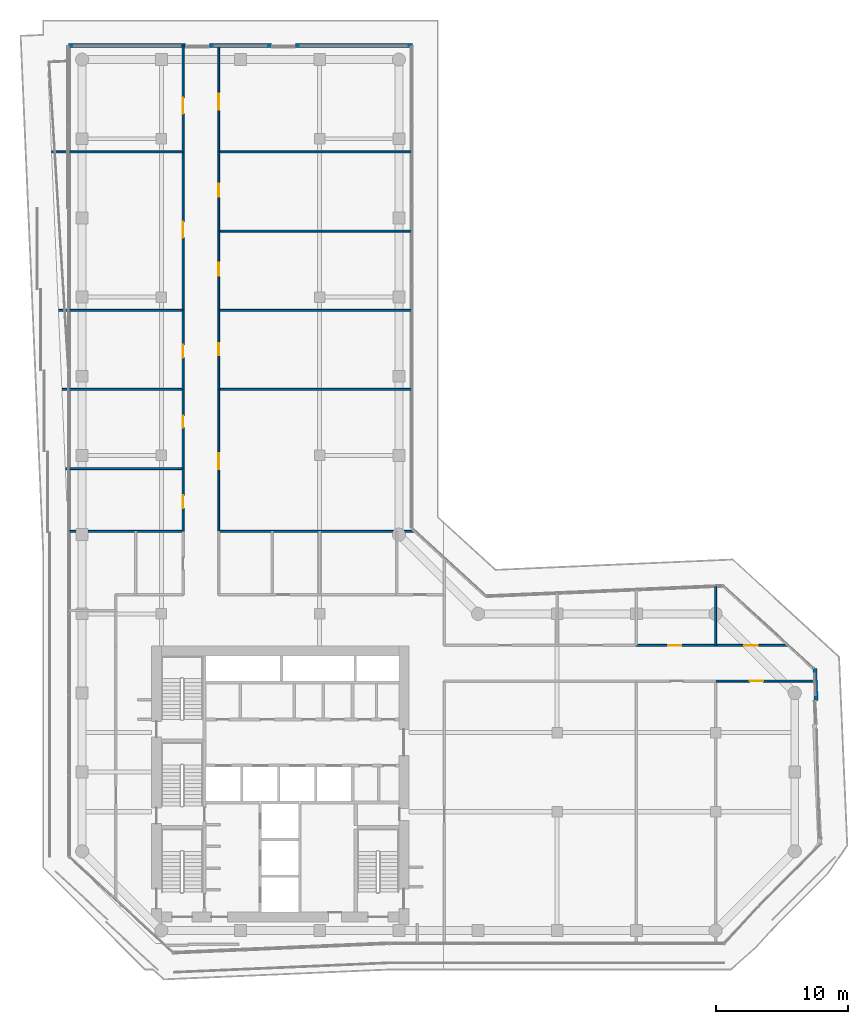
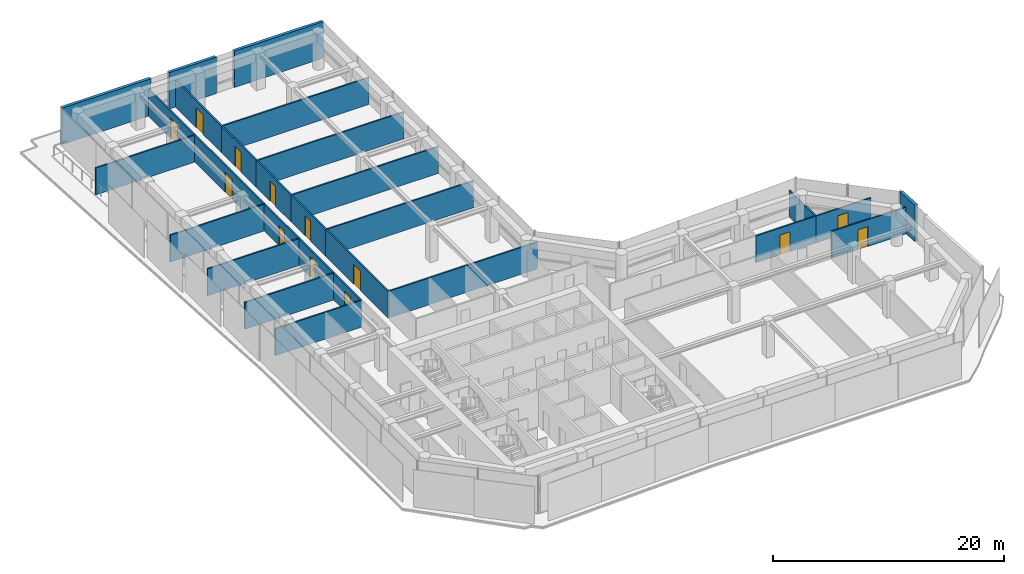
# One storey, part 21 of 24: 28 walls, 13 doors, 13 openings.
"""IFC4 building model written with IfcOpenShell, lengths in metres."""

from ifc_helpers import new_model, si_unit, direction, frame, frame_2d, origin, place, context, subcontext, project, spatial, rectangle, extrude, material, layer, layer_set, type_object, element, fill, save


model = new_model("IFC4")

# Units and contexts
model_context = context("Model", 3, precision=1e-05, world=origin(), true_north=direction((0.0, 1.0)))
body_context = subcontext(model_context, "Body", "Model", "MODEL_VIEW")
ifc_project = project(units=[si_unit("LENGTHUNIT", "METRE"), si_unit("AREAUNIT", "SQUARE_METRE"), si_unit("VOLUMEUNIT", "CUBIC_METRE"), si_unit("PLANEANGLEUNIT", "RADIAN"), si_unit("MASSUNIT", "GRAM", prefix="KILO")], contexts=[model_context])

# Site, building, storey
site_placement = place(None, origin())
site = spatial("IfcSite", under=ifc_project, at=site_placement, CompositionType="ELEMENT")
building_placement = place(site_placement, origin())
building = spatial("IfcBuilding", under=site, at=building_placement, Name="Welwitschia Terrace Campus", CompositionType="ELEMENT")
storey_placement = place(building_placement, frame((0.0, 0.0, 100.39990234375)))
storey = spatial("IfcBuildingStorey", under=building, at=storey_placement, Name="L22", CompositionType="ELEMENT", Elevation=100.39990234375)

# Walls
ifc_material_1 = material(Name="Gypsum board on steel studs", Category="steel")
ifc_layer_1 = layer(ifc_material_1, 0.14990234375)
ifc_layer_set_1 = layer_set([ifc_layer_1], Name="Gypsum board on steel studs")
wall_type_1 = type_object("IfcWallType", Name="Corridor partition 150 EI 30", PredefinedType="PARTITIONING", material=ifc_layer_set_1)
wall_1_placement = place(storey_placement, frame((-2.300048828125, 63.0, 0.0), z_axis=(0.0, 0.0, 1.0), x_axis=(1.0, 0.0, 0.0)))
element("IfcWall", 1, at=wall_1_placement, inside=storey, type_object=wall_type_1, Name="Partition", PredefinedType="PARTITIONING", context=body_context, shape_type="SweptSolid", body=[
    extrude(rectangle(XDim=9.949951171875, YDim=0.14990234375, at=frame_2d((4.97509765625, 0.0))), origin(), (0.0, 0.0, 1.0), 2.830078125),
])
wall_2_placement = place(storey_placement, frame((-1.780029296875, 51.0, 0.0), z_axis=(0.0, 0.0, 1.0), x_axis=(1.0, 0.0, 0.0)))
element("IfcWall", 2, at=wall_2_placement, inside=storey, type_object=wall_type_1, Name="Partition", PredefinedType="PARTITIONING", context=body_context, shape_type="SweptSolid", body=[
    extrude(rectangle(XDim=9.429931640625, YDim=0.14990234375, at=frame_2d((4.71484375, 0.0))), origin(), (0.0, 0.0, 1.0), 2.830078125),
])
wall_3_placement = place(storey_placement, frame((-1.52001953125, 45.0, 0.0), z_axis=(0.0, 0.0, 1.0), x_axis=(1.0, 0.0, 0.0)))
element("IfcWall", 3, at=wall_3_placement, inside=storey, type_object=wall_type_1, Name="Partition", PredefinedType="PARTITIONING", context=body_context, shape_type="SweptSolid", body=[
    extrude(rectangle(XDim=9.169921875, YDim=0.14990234375, at=frame_2d((4.5849609375, 0.0))), origin(), (0.0, 0.0, 1.0), 2.830078125),
])
wall_4_placement = place(storey_placement, frame((-1.260009765625, 39.0, 0.0), z_axis=(0.0, 0.0, 1.0), x_axis=(1.0, 0.0, 0.0)))
element("IfcWall", 4, at=wall_4_placement, inside=storey, type_object=wall_type_1, Name="Partition", PredefinedType="PARTITIONING", context=body_context, shape_type="SweptSolid", body=[
    extrude(rectangle(XDim=8.909912109375, YDim=0.14990234375, at=frame_2d((4.455078125, 0.0))), origin(), (0.0, 0.0, 1.0), 2.830078125),
])
wall_5_placement = place(storey_placement, frame((-0.965087890625, 34.25, 0.0), z_axis=(0.0, 0.0, 1.0), x_axis=(1.0, 0.0, 0.0)))
element("IfcWall", 5, at=wall_5_placement, inside=storey, type_object=wall_type_1, Name="Partition", PredefinedType="PARTITIONING", context=body_context, shape_type="SweptSolid", body=[
    extrude(rectangle(XDim=8.614990234375, YDim=0.14990234375, at=frame_2d((4.3076171875, 0.0))), origin(), (0.0, 0.0, 1.0), 2.830078125),
])

# Wall, opening, door
wall_6_placement = place(storey_placement, frame((7.64990234375, 34.25, 0.0), z_axis=(0.0, 0.0, 1.0), x_axis=(0.0, 1.0, 0.0)))
wall_6 = element("IfcWall", 6, at=wall_6_placement, inside=storey, type_object=wall_type_1, Name="Partition", PredefinedType="PARTITIONING", context=body_context, shape_type="SweptSolid", body=[
    extrude(rectangle(XDim=4.75, YDim=0.14990234375, at=frame_2d((2.375, 0.0))), origin(), (0.0, 0.0, 1.0), 2.830078125),
])
opening_1_placement = place(wall_6_placement, frame((1.75, 0.0, 0.0)))
opening_1 = element("IfcOpeningElement", 7, at=opening_1_placement, cuts=wall_6, Name="Opening DI10", PredefinedType="OPENING", context=body_context, shape_type="SweptSolid", body=[
    extrude(rectangle(XDim=1.0, YDim=2.10009765625, at=frame_2d((0.5, 1.050048828125))), frame((0.0, 0.0849609375, 0.0), z_axis=(0.0, -1.0, 0.0), x_axis=(1.0, 0.0, 0.0)), (0.0, 0.0, 1.0), 0.169921875),
])
ifc_material_2 = material(Name="Timber veneered door", Category="wood")
door_type_1 = type_object("IfcDoorType", Name="Interior door DI10", OperationType="NOTDEFINED", PredefinedType="DOOR", material=ifc_material_2)
door_1_placement = place(opening_1_placement, origin())
door_1 = element("IfcDoor", 8, at=door_1_placement, inside=storey, type_object=door_type_1, Name="Door L22 481", OperationType="SINGLE_SWING_RIGHT", OverallHeight=2.10009765625, OverallWidth=1.0, PredefinedType="DOOR", context=body_context, shape_type="SweptSolid", body=[
    extrude(rectangle(XDim=1.0, YDim=2.10009765625, at=frame_2d((0.5, 1.050048828125))), frame((0.0, 0.02490234375, 0.0), z_axis=(0.0, -1.0, 0.0), x_axis=(1.0, 0.0, 0.0)), (0.0, 0.0, 1.0), 0.050048828125),
])
fill(opening_1, door_1)

wall_7_placement = place(storey_placement, frame((7.64990234375, 39.0, 0.0), z_axis=(0.0, 0.0, 1.0), x_axis=(0.0, 1.0, 0.0)))
wall_7 = element("IfcWall", 9, at=wall_7_placement, inside=storey, type_object=wall_type_1, Name="Partition", PredefinedType="PARTITIONING", context=body_context, shape_type="SweptSolid", body=[
    extrude(rectangle(XDim=6.0, YDim=0.14990234375, at=frame_2d((3.0, 0.0))), origin(), (0.0, 0.0, 1.0), 2.830078125),
])
opening_2_placement = place(wall_7_placement, frame((3.10009765625, 0.0, 0.0)))
opening_2 = element("IfcOpeningElement", 10, at=opening_2_placement, cuts=wall_7, Name="Opening DI09", PredefinedType="OPENING", context=body_context, shape_type="SweptSolid", body=[
    extrude(rectangle(XDim=0.89990234375, YDim=2.10009765625, at=frame_2d((0.449951171875, 1.050048828125))), frame((0.0, 0.0849609375, 0.0), z_axis=(0.0, -1.0, 0.0), x_axis=(1.0, 0.0, 0.0)), (0.0, 0.0, 1.0), 0.169921875),
])
ifc_material_3 = material(Name="Timber veneered door", Category="wood")
door_type_2 = type_object("IfcDoorType", Name="Interior door DI09", OperationType="NOTDEFINED", PredefinedType="DOOR", material=ifc_material_3)
door_2_placement = place(opening_2_placement, origin())
door_2 = element("IfcDoor", 11, at=door_2_placement, inside=storey, type_object=door_type_2, Name="Door L22 482", OperationType="SINGLE_SWING_LEFT", OverallHeight=2.10009765625, OverallWidth=0.89990234375, PredefinedType="DOOR", context=body_context, shape_type="SweptSolid", body=[
    extrude(rectangle(XDim=0.89990234375, YDim=2.10009765625, at=frame_2d((0.449951171875, 1.050048828125))), frame((0.0, 0.02490234375, 0.0), z_axis=(0.0, -1.0, 0.0), x_axis=(1.0, 0.0, 0.0)), (0.0, 0.0, 1.0), 0.050048828125),
])
fill(opening_2, door_2)

wall_8_placement = place(storey_placement, frame((7.64990234375, 45.0, 0.0), z_axis=(0.0, 0.0, 1.0), x_axis=(0.0, 1.0, 0.0)))
wall_8 = element("IfcWall", 12, at=wall_8_placement, inside=storey, type_object=wall_type_1, Name="Partition", PredefinedType="PARTITIONING", context=body_context, shape_type="SweptSolid", body=[
    extrude(rectangle(XDim=6.0, YDim=0.14990234375, at=frame_2d((3.0, 0.0))), origin(), (0.0, 0.0, 1.0), 2.830078125),
])
opening_3_placement = place(wall_8_placement, frame((2.39990234375, 0.0, 0.0)))
opening_3 = element("IfcOpeningElement", 13, at=opening_3_placement, cuts=wall_8, Name="Opening DI10", PredefinedType="OPENING", context=body_context, shape_type="SweptSolid", body=[
    extrude(rectangle(XDim=1.0, YDim=2.10009765625, at=frame_2d((0.5, 1.050048828125))), frame((0.0, 0.0849609375, 0.0), z_axis=(0.0, -1.0, 0.0), x_axis=(1.0, 0.0, 0.0)), (0.0, 0.0, 1.0), 0.169921875),
])
door_3_placement = place(opening_3_placement, origin())
door_3 = element("IfcDoor", 14, at=door_3_placement, inside=storey, type_object=door_type_1, Name="Door L22 483", OperationType="SINGLE_SWING_RIGHT", OverallHeight=2.10009765625, OverallWidth=1.0, PredefinedType="DOOR", context=body_context, shape_type="SweptSolid", body=[
    extrude(rectangle(XDim=1.0, YDim=2.10009765625, at=frame_2d((0.5, 1.050048828125))), frame((0.0, 0.02490234375, 0.0), z_axis=(0.0, -1.0, 0.0), x_axis=(1.0, 0.0, 0.0)), (0.0, 0.0, 1.0), 0.050048828125),
])
fill(opening_3, door_3)

wall_9_placement = place(storey_placement, frame((7.64990234375, 51.0, 0.0), z_axis=(0.0, 0.0, 1.0), x_axis=(0.0, 1.0, 0.0)))
wall_9 = element("IfcWall", 15, at=wall_9_placement, inside=storey, type_object=wall_type_1, Name="Partition", PredefinedType="PARTITIONING", context=body_context, shape_type="SweptSolid", body=[
    extrude(rectangle(XDim=12.0, YDim=0.14990234375, at=frame_2d((6.0, 0.0))), origin(), (0.0, 0.0, 1.0), 2.830078125),
])
opening_4_placement = place(wall_9_placement, frame((5.5, 0.0, 0.0)))
opening_4 = element("IfcOpeningElement", 16, at=opening_4_placement, cuts=wall_9, Name="Opening DI12", PredefinedType="OPENING", context=body_context, shape_type="SweptSolid", body=[
    extrude(rectangle(XDim=1.199951171875, YDim=2.10009765625, at=frame_2d((0.60009765625, 1.050048828125))), frame((0.0, 0.0849609375, 0.0), z_axis=(0.0, -1.0, 0.0), x_axis=(1.0, 0.0, 0.0)), (0.0, 0.0, 1.0), 0.169921875),
])
ifc_material_4 = material(Name="Timber veneered door", Category="wood")
door_type_3 = type_object("IfcDoorType", Name="Interior door DI12", OperationType="NOTDEFINED", PredefinedType="DOOR", material=ifc_material_4)
door_4_placement = place(opening_4_placement, origin())
door_4 = element("IfcDoor", 17, at=door_4_placement, inside=storey, type_object=door_type_3, Name="Door L22 484", OperationType="SINGLE_SWING_LEFT", OverallHeight=2.10009765625, OverallWidth=1.199951171875, PredefinedType="DOOR", context=body_context, shape_type="SweptSolid", body=[
    extrude(rectangle(XDim=1.199951171875, YDim=2.10009765625, at=frame_2d((0.60009765625, 1.050048828125))), frame((0.0, 0.02490234375, 0.0), z_axis=(0.0, -1.0, 0.0), x_axis=(1.0, 0.0, 0.0)), (0.0, 0.0, 1.0), 0.050048828125),
])
fill(opening_4, door_4)

wall_10_placement = place(storey_placement, frame((7.64990234375, 63.0, 0.0), z_axis=(0.0, 0.0, 1.0), x_axis=(0.0, 1.0, 0.0)))
wall_10 = element("IfcWall", 18, at=wall_10_placement, inside=storey, type_object=wall_type_1, Name="Partition", PredefinedType="PARTITIONING", context=body_context, shape_type="SweptSolid", body=[
    extrude(rectangle(XDim=8.090087890625, YDim=0.14990234375, at=frame_2d((4.044921875, 0.0))), origin(), (0.0, 0.0, 1.0), 2.830078125),
])
opening_5_placement = place(wall_10_placement, frame((2.909912109375, 0.0, 0.0)))
opening_5 = element("IfcOpeningElement", 19, at=opening_5_placement, cuts=wall_10, Name="Opening DI12", PredefinedType="OPENING", context=body_context, shape_type="SweptSolid", body=[
    extrude(rectangle(XDim=1.199951171875, YDim=2.10009765625, at=frame_2d((0.60009765625, 1.050048828125))), frame((0.0, 0.0849609375, 0.0), z_axis=(0.0, -1.0, 0.0), x_axis=(1.0, 0.0, 0.0)), (0.0, 0.0, 1.0), 0.169921875),
])
door_5_placement = place(opening_5_placement, origin())
door_5 = element("IfcDoor", 20, at=door_5_placement, inside=storey, type_object=door_type_3, Name="Door L22 485", OperationType="SINGLE_SWING_RIGHT", OverallHeight=2.10009765625, OverallWidth=1.199951171875, PredefinedType="DOOR", context=body_context, shape_type="SweptSolid", body=[
    extrude(rectangle(XDim=1.199951171875, YDim=2.10009765625, at=frame_2d((0.60009765625, 1.050048828125))), frame((0.0, 0.02490234375, 0.0), z_axis=(0.0, -1.0, 0.0), x_axis=(1.0, 0.0, 0.0)), (0.0, 0.0, 1.0), 0.050048828125),
])
fill(opening_5, door_5)

# Wall
wall_11_placement = place(storey_placement, frame((10.35009765625, 34.25, 0.0), z_axis=(0.0, 0.0, 1.0), x_axis=(1.0, 0.0, 0.0)))
element("IfcWall", 21, at=wall_11_placement, inside=storey, type_object=wall_type_1, Name="Partition", PredefinedType="PARTITIONING", context=body_context, shape_type="SweptSolid", body=[
    extrude(rectangle(XDim=14.849853515625, YDim=0.14990234375, at=frame_2d((7.4248046875, 0.0))), origin(), (0.0, 0.0, 1.0), 2.830078125),
])

# Wall, opening, door
wall_12_placement = place(storey_placement, frame((10.35009765625, 45.0, 0.0), z_axis=(0.0, 0.0, 1.0), x_axis=(0.0, -1.0, 0.0)))
wall_12 = element("IfcWall", 22, at=wall_12_placement, inside=storey, type_object=wall_type_1, Name="Partition", PredefinedType="PARTITIONING", context=body_context, shape_type="SweptSolid", body=[
    extrude(rectangle(XDim=10.75, YDim=0.14990234375, at=frame_2d((5.375, 0.0))), origin(), (0.0, 0.0, 1.0), 2.830078125),
])
opening_6_placement = place(wall_12_placement, frame((4.85009765625, 0.0, 0.0)))
opening_6 = element("IfcOpeningElement", 23, at=opening_6_placement, cuts=wall_12, Name="Opening DI12", PredefinedType="OPENING", context=body_context, shape_type="SweptSolid", body=[
    extrude(rectangle(XDim=1.199951171875, YDim=2.10009765625, at=frame_2d((0.60009765625, 1.050048828125))), frame((0.0, 0.0849609375, 0.0), z_axis=(0.0, -1.0, 0.0), x_axis=(1.0, 0.0, 0.0)), (0.0, 0.0, 1.0), 0.169921875),
])
door_6_placement = place(opening_6_placement, origin())
door_6 = element("IfcDoor", 24, at=door_6_placement, inside=storey, type_object=door_type_3, Name="Door L22 486", OperationType="SINGLE_SWING_LEFT", OverallHeight=2.10009765625, OverallWidth=1.199951171875, PredefinedType="DOOR", context=body_context, shape_type="SweptSolid", body=[
    extrude(rectangle(XDim=1.199951171875, YDim=2.10009765625, at=frame_2d((0.60009765625, 1.050048828125))), frame((0.0, 0.02490234375, 0.0), z_axis=(0.0, -1.0, 0.0), x_axis=(1.0, 0.0, 0.0)), (0.0, 0.0, 1.0), 0.050048828125),
])
fill(opening_6, door_6)

# Wall
wall_13_placement = place(storey_placement, frame((10.35009765625, 45.0, 0.0), z_axis=(0.0, 0.0, 1.0), x_axis=(1.0, 0.0, 0.0)))
element("IfcWall", 25, at=wall_13_placement, inside=storey, type_object=wall_type_1, Name="Partition", PredefinedType="PARTITIONING", context=body_context, shape_type="SweptSolid", body=[
    extrude(rectangle(XDim=14.6298828125, YDim=0.14990234375, at=frame_2d((7.31494140625, 0.0))), origin(), (0.0, 0.0, 1.0), 2.830078125),
])

# Wall, opening, door
wall_14_placement = place(storey_placement, frame((10.35009765625, 51.0, 0.0), z_axis=(0.0, 0.0, 1.0), x_axis=(0.0, -1.0, 0.0)))
wall_14 = element("IfcWall", 26, at=wall_14_placement, inside=storey, type_object=wall_type_1, Name="Partition", PredefinedType="PARTITIONING", context=body_context, shape_type="SweptSolid", body=[
    extrude(rectangle(XDim=6.0, YDim=0.14990234375, at=frame_2d((3.0, 0.0))), origin(), (0.0, 0.0, 1.0), 2.830078125),
])
opening_7_placement = place(wall_14_placement, frame((2.5, 0.0, 0.0)))
opening_7 = element("IfcOpeningElement", 27, at=opening_7_placement, cuts=wall_14, Name="Opening DI09", PredefinedType="OPENING", context=body_context, shape_type="SweptSolid", body=[
    extrude(rectangle(XDim=0.89990234375, YDim=2.10009765625, at=frame_2d((0.449951171875, 1.050048828125))), frame((0.0, 0.0849609375, 0.0), z_axis=(0.0, -1.0, 0.0), x_axis=(1.0, 0.0, 0.0)), (0.0, 0.0, 1.0), 0.169921875),
])
door_7_placement = place(opening_7_placement, origin())
door_7 = element("IfcDoor", 28, at=door_7_placement, inside=storey, type_object=door_type_2, Name="Door L22 487", OperationType="SINGLE_SWING_RIGHT", OverallHeight=2.10009765625, OverallWidth=0.89990234375, PredefinedType="DOOR", context=body_context, shape_type="SweptSolid", body=[
    extrude(rectangle(XDim=0.89990234375, YDim=2.10009765625, at=frame_2d((0.449951171875, 1.050048828125))), frame((0.0, 0.02490234375, 0.0), z_axis=(0.0, -1.0, 0.0), x_axis=(1.0, 0.0, 0.0)), (0.0, 0.0, 1.0), 0.050048828125),
])
fill(opening_7, door_7)

# Wall
wall_15_placement = place(storey_placement, frame((10.35009765625, 51.0, 0.0), z_axis=(0.0, 0.0, 1.0), x_axis=(1.0, 0.0, 0.0)))
element("IfcWall", 29, at=wall_15_placement, inside=storey, type_object=wall_type_1, Name="Partition", PredefinedType="PARTITIONING", context=body_context, shape_type="SweptSolid", body=[
    extrude(rectangle(XDim=14.6298828125, YDim=0.14990234375, at=frame_2d((7.31494140625, 0.0))), origin(), (0.0, 0.0, 1.0), 2.830078125),
])

# Wall, opening, door
wall_16_placement = place(storey_placement, frame((10.35009765625, 57.0, 0.0), z_axis=(0.0, 0.0, 1.0), x_axis=(0.0, -1.0, 0.0)))
wall_16 = element("IfcWall", 30, at=wall_16_placement, inside=storey, type_object=wall_type_1, Name="Partition", PredefinedType="PARTITIONING", context=body_context, shape_type="SweptSolid", body=[
    extrude(rectangle(XDim=6.0, YDim=0.14990234375, at=frame_2d((3.0, 0.0))), origin(), (0.0, 0.0, 1.0), 2.830078125),
])
opening_8_placement = place(wall_16_placement, frame((2.39990234375, 0.0, 0.0)))
opening_8 = element("IfcOpeningElement", 31, at=opening_8_placement, cuts=wall_16, Name="Opening DI10", PredefinedType="OPENING", context=body_context, shape_type="SweptSolid", body=[
    extrude(rectangle(XDim=1.0, YDim=2.10009765625, at=frame_2d((0.5, 1.050048828125))), frame((0.0, 0.0849609375, 0.0), z_axis=(0.0, -1.0, 0.0), x_axis=(1.0, 0.0, 0.0)), (0.0, 0.0, 1.0), 0.169921875),
])
door_8_placement = place(opening_8_placement, origin())
door_8 = element("IfcDoor", 32, at=door_8_placement, inside=storey, type_object=door_type_1, Name="Door L22 488", OperationType="SINGLE_SWING_LEFT", OverallHeight=2.10009765625, OverallWidth=1.0, PredefinedType="DOOR", context=body_context, shape_type="SweptSolid", body=[
    extrude(rectangle(XDim=1.0, YDim=2.10009765625, at=frame_2d((0.5, 1.050048828125))), frame((0.0, 0.02490234375, 0.0), z_axis=(0.0, -1.0, 0.0), x_axis=(1.0, 0.0, 0.0)), (0.0, 0.0, 1.0), 0.050048828125),
])
fill(opening_8, door_8)

# Wall
wall_17_placement = place(storey_placement, frame((10.35009765625, 57.0, 0.0), z_axis=(0.0, 0.0, 1.0), x_axis=(1.0, 0.0, 0.0)))
element("IfcWall", 33, at=wall_17_placement, inside=storey, type_object=wall_type_1, Name="Partition", PredefinedType="PARTITIONING", context=body_context, shape_type="SweptSolid", body=[
    extrude(rectangle(XDim=14.6298828125, YDim=0.14990234375, at=frame_2d((7.31494140625, 0.0))), origin(), (0.0, 0.0, 1.0), 2.830078125),
])

# Wall, opening, door
wall_18_placement = place(storey_placement, frame((10.35009765625, 63.0, 0.0), z_axis=(0.0, 0.0, 1.0), x_axis=(0.0, -1.0, 0.0)))
wall_18 = element("IfcWall", 34, at=wall_18_placement, inside=storey, type_object=wall_type_1, Name="Partition", PredefinedType="PARTITIONING", context=body_context, shape_type="SweptSolid", body=[
    extrude(rectangle(XDim=6.0, YDim=0.14990234375, at=frame_2d((3.0, 0.0))), origin(), (0.0, 0.0, 1.0), 2.830078125),
])
opening_9_placement = place(wall_18_placement, frame((2.39990234375, 0.0, 0.0)))
opening_9 = element("IfcOpeningElement", 35, at=opening_9_placement, cuts=wall_18, Name="Opening DI10", PredefinedType="OPENING", context=body_context, shape_type="SweptSolid", body=[
    extrude(rectangle(XDim=1.0, YDim=2.10009765625, at=frame_2d((0.5, 1.050048828125))), frame((0.0, 0.0849609375, 0.0), z_axis=(0.0, -1.0, 0.0), x_axis=(1.0, 0.0, 0.0)), (0.0, 0.0, 1.0), 0.169921875),
])
door_9_placement = place(opening_9_placement, origin())
door_9 = element("IfcDoor", 36, at=door_9_placement, inside=storey, type_object=door_type_1, Name="Door L22 489", OperationType="SINGLE_SWING_RIGHT", OverallHeight=2.10009765625, OverallWidth=1.0, PredefinedType="DOOR", context=body_context, shape_type="SweptSolid", body=[
    extrude(rectangle(XDim=1.0, YDim=2.10009765625, at=frame_2d((0.5, 1.050048828125))), frame((0.0, 0.02490234375, 0.0), z_axis=(0.0, -1.0, 0.0), x_axis=(1.0, 0.0, 0.0)), (0.0, 0.0, 1.0), 0.050048828125),
])
fill(opening_9, door_9)

# Wall
wall_19_placement = place(storey_placement, frame((10.35009765625, 63.0, 0.0), z_axis=(0.0, 0.0, 1.0), x_axis=(1.0, 0.0, 0.0)))
element("IfcWall", 37, at=wall_19_placement, inside=storey, type_object=wall_type_1, Name="Partition", PredefinedType="PARTITIONING", context=body_context, shape_type="SweptSolid", body=[
    extrude(rectangle(XDim=14.6298828125, YDim=0.14990234375, at=frame_2d((7.31494140625, 0.0))), origin(), (0.0, 0.0, 1.0), 2.830078125),
])

# Wall, opening, door
wall_20_placement = place(storey_placement, frame((10.35009765625, 71.090087890625, 0.0), z_axis=(0.0, 0.0, 1.0), x_axis=(0.0, -1.0, 0.0)))
wall_20 = element("IfcWall", 38, at=wall_20_placement, inside=storey, type_object=wall_type_1, Name="Partition", PredefinedType="PARTITIONING", context=body_context, shape_type="SweptSolid", body=[
    extrude(rectangle(XDim=8.090087890625, YDim=0.14990234375, at=frame_2d((4.044921875, 0.0))), origin(), (0.0, 0.0, 1.0), 2.830078125),
])
opening_10_placement = place(wall_20_placement, frame((3.68994140625, 0.0, 0.0)))
opening_10 = element("IfcOpeningElement", 39, at=opening_10_placement, cuts=wall_20, Name="Opening DI12", PredefinedType="OPENING", context=body_context, shape_type="SweptSolid", body=[
    extrude(rectangle(XDim=1.199951171875, YDim=2.10009765625, at=frame_2d((0.60009765625, 1.050048828125))), frame((0.0, 0.0849609375, 0.0), z_axis=(0.0, -1.0, 0.0), x_axis=(1.0, 0.0, 0.0)), (0.0, 0.0, 1.0), 0.169921875),
])
door_10_placement = place(opening_10_placement, origin())
door_10 = element("IfcDoor", 40, at=door_10_placement, inside=storey, type_object=door_type_3, Name="Door L22 490", OperationType="SINGLE_SWING_LEFT", OverallHeight=2.10009765625, OverallWidth=1.199951171875, PredefinedType="DOOR", context=body_context, shape_type="SweptSolid", body=[
    extrude(rectangle(XDim=1.199951171875, YDim=2.10009765625, at=frame_2d((0.60009765625, 1.050048828125))), frame((0.0, 0.02490234375, 0.0), z_axis=(0.0, -1.0, 0.0), x_axis=(1.0, 0.0, 0.0)), (0.0, 0.0, 1.0), 0.050048828125),
])
fill(opening_10, door_10)

wall_21_placement = place(storey_placement, frame((42.0, 25.60009765625, 0.0), z_axis=(0.0, 0.0, 1.0), x_axis=(1.0, 0.0, 0.0)))
wall_21 = element("IfcWall", 41, at=wall_21_placement, inside=storey, type_object=wall_type_1, Name="Partition", PredefinedType="PARTITIONING", context=body_context, shape_type="SweptSolid", body=[
    extrude(rectangle(XDim=6.0, YDim=0.14990234375, at=frame_2d((3.0, 0.0))), origin(), (0.0, 0.0, 1.0), 2.830078125),
])
opening_11_placement = place(wall_21_placement, frame((2.39990234375, 0.0, 0.0)))
opening_11 = element("IfcOpeningElement", 42, at=opening_11_placement, cuts=wall_21, Name="Opening DI10", PredefinedType="OPENING", context=body_context, shape_type="SweptSolid", body=[
    extrude(rectangle(XDim=1.0, YDim=2.10009765625, at=frame_2d((0.5, 1.050048828125))), frame((0.0, 0.0849609375, 0.0), z_axis=(0.0, -1.0, 0.0), x_axis=(1.0, 0.0, 0.0)), (0.0, 0.0, 1.0), 0.169921875),
])
door_11_placement = place(opening_11_placement, origin())
door_11 = element("IfcDoor", 43, at=door_11_placement, inside=storey, type_object=door_type_1, Name="Door L22 496", OperationType="SINGLE_SWING_LEFT", OverallHeight=2.10009765625, OverallWidth=1.0, PredefinedType="DOOR", context=body_context, shape_type="SweptSolid", body=[
    extrude(rectangle(XDim=1.0, YDim=2.10009765625, at=frame_2d((0.5, 1.050048828125))), frame((0.0, 0.02490234375, 0.0), z_axis=(0.0, -1.0, 0.0), x_axis=(1.0, 0.0, 0.0)), (0.0, 0.0, 1.0), 0.050048828125),
])
fill(opening_11, door_11)

# Wall
wall_22_placement = place(storey_placement, frame((48.0, 25.60009765625, 0.0), z_axis=(0.0, 0.0, 1.0), x_axis=(0.0, 1.0, 0.0)))
element("IfcWall", 44, at=wall_22_placement, inside=storey, type_object=wall_type_1, Name="Partition", PredefinedType="PARTITIONING", context=body_context, shape_type="SweptSolid", body=[
    extrude(rectangle(XDim=4.47998046875, YDim=0.14990234375, at=frame_2d((2.239990234375, 0.0))), origin(), (0.0, 0.0, 1.0), 2.830078125),
])

# Wall, opening, door
wall_23_placement = place(storey_placement, frame((48.0, 25.60009765625, 0.0), z_axis=(0.0, 0.0, 1.0), x_axis=(1.0, 0.0, 0.0)))
wall_23 = element("IfcWall", 45, at=wall_23_placement, inside=storey, type_object=wall_type_1, Name="Partition", PredefinedType="PARTITIONING", context=body_context, shape_type="SweptSolid", body=[
    extrude(rectangle(XDim=5.47998046875, YDim=0.14990234375, at=frame_2d((2.739990234375, 0.0))), origin(), (0.0, 0.0, 1.0), 2.830078125),
])
opening_12_placement = place(wall_23_placement, frame((2.179931640625, 0.0, 0.0)))
opening_12 = element("IfcOpeningElement", 46, at=opening_12_placement, cuts=wall_23, Name="Opening DI10", PredefinedType="OPENING", context=body_context, shape_type="SweptSolid", body=[
    extrude(rectangle(XDim=1.0, YDim=2.10009765625, at=frame_2d((0.5, 1.050048828125))), frame((0.0, 0.0849609375, 0.0), z_axis=(0.0, -1.0, 0.0), x_axis=(1.0, 0.0, 0.0)), (0.0, 0.0, 1.0), 0.169921875),
])
door_12_placement = place(opening_12_placement, origin())
door_12 = element("IfcDoor", 47, at=door_12_placement, inside=storey, type_object=door_type_1, Name="Door L22 498", OperationType="SINGLE_SWING_LEFT", OverallHeight=2.10009765625, OverallWidth=1.0, PredefinedType="DOOR", context=body_context, shape_type="SweptSolid", body=[
    extrude(rectangle(XDim=1.0, YDim=2.10009765625, at=frame_2d((0.5, 1.050048828125))), frame((0.0, 0.02490234375, 0.0), z_axis=(0.0, -1.0, 0.0), x_axis=(1.0, 0.0, 0.0)), (0.0, 0.0, 1.0), 0.050048828125),
])
fill(opening_12, door_12)

wall_24_placement = place(storey_placement, frame((55.569580078125, 22.89990234375, 0.0), z_axis=(0.0, 0.0, 1.0), x_axis=(-1.0, 0.0, 0.0)))
wall_24 = element("IfcWall", 48, at=wall_24_placement, inside=storey, type_object=wall_type_1, Name="Partition", PredefinedType="PARTITIONING", context=body_context, shape_type="SweptSolid", body=[
    extrude(rectangle(XDim=7.569580078125, YDim=0.14990234375, at=frame_2d((3.78466796875, 0.0))), origin(), (0.0, 0.0, 1.0), 2.830078125),
])
opening_13_placement = place(wall_24_placement, frame((3.9697265625, 0.0, 0.0)))
opening_13 = element("IfcOpeningElement", 49, at=opening_13_placement, cuts=wall_24, Name="Opening DI10", PredefinedType="OPENING", context=body_context, shape_type="SweptSolid", body=[
    extrude(rectangle(XDim=1.0, YDim=2.10009765625, at=frame_2d((0.5, 1.050048828125))), frame((0.0, 0.0849609375, 0.0), z_axis=(0.0, -1.0, 0.0), x_axis=(1.0, 0.0, 0.0)), (0.0, 0.0, 1.0), 0.169921875),
])
door_13_placement = place(opening_13_placement, origin())
door_13 = element("IfcDoor", 50, at=door_13_placement, inside=storey, type_object=door_type_1, Name="Door L22 499", OperationType="SINGLE_SWING_RIGHT", OverallHeight=2.10009765625, OverallWidth=1.0, PredefinedType="DOOR", context=body_context, shape_type="SweptSolid", body=[
    extrude(rectangle(XDim=1.0, YDim=2.10009765625, at=frame_2d((0.5, 1.050048828125))), frame((0.0, 0.02490234375, 0.0), z_axis=(0.0, -1.0, 0.0), x_axis=(1.0, 0.0, 0.0)), (0.0, 0.0, 1.0), 0.050048828125),
])
fill(opening_13, door_13)

# Walls
ifc_material_5 = material(Name="Concrete C40/50", Category="concrete")
ifc_layer_2 = layer(ifc_material_5, 0.300048828125)
ifc_layer_set_2 = layer_set([ifc_layer_2], Name="Concrete C40/50")
wall_type_2 = type_object("IfcWallType", Name="Mass wall 300", PredefinedType="SOLIDWALL", material=ifc_layer_set_2)
wall_25_placement = place(storey_placement, frame((55.623291015625, 21.434814453125, 0.0), z_axis=(0.0, 0.0, 1.0), x_axis=(-0.043625665955, 0.999047947433, 0.0)))
element("IfcWall", 51, at=wall_25_placement, inside=storey, type_object=wall_type_2, Name="Mass wall L22.5.1", PredefinedType="SOLIDWALL", context=body_context, shape_type="SweptSolid", body=[
    extrude(rectangle(XDim=2.41748046875, YDim=0.300048828125, at=frame_2d((1.208740234375, 0.0))), origin(), (0.0, 0.0, 1.0), 3.85009765625),
])
wall_26_placement = place(storey_placement, frame((25.030029296875, 71.078125, 0.0), z_axis=(0.0, 0.0, 1.0), x_axis=(-1.0, 0.0, 0.0)))
element("IfcWall", 52, at=wall_26_placement, inside=storey, type_object=wall_type_2, Name="Mass wall L22.10.0", PredefinedType="SOLIDWALL", context=body_context, shape_type="SweptSolid", body=[
    extrude(rectangle(XDim=8.87255859375, YDim=0.300048828125, at=frame_2d((4.436279296875, 0.0))), origin(), (0.0, 0.0, 1.0), 3.85009765625),
])
wall_27_placement = place(storey_placement, frame((14.357421875, 71.080078125, 0.0), z_axis=(0.0, 0.0, 1.0), x_axis=(-1.0, 0.0, 0.0)))
element("IfcWall", 53, at=wall_27_placement, inside=storey, type_object=wall_type_2, Name="Mass wall L22.10.1", PredefinedType="SOLIDWALL", context=body_context, shape_type="SweptSolid", body=[
    extrude(rectangle(XDim=4.71484375, YDim=0.300048828125, at=frame_2d((2.357421875, 0.0))), origin(), (0.0, 0.0, 1.0), 3.85009765625),
])
wall_28_placement = place(storey_placement, frame((7.842529296875, 71.078125, 0.0), z_axis=(0.0, 0.0, 1.0), x_axis=(-1.0, 0.0, 0.0)))
element("IfcWall", 54, at=wall_28_placement, inside=storey, type_object=wall_type_2, Name="Mass wall L22.10.2", PredefinedType="SOLIDWALL", context=body_context, shape_type="SweptSolid", body=[
    extrude(rectangle(XDim=8.87255859375, YDim=0.300048828125, at=frame_2d((4.436279296875, 0.0))), origin(), (0.0, 0.0, 1.0), 3.85009765625),
])

save(model, "model.ifc")
